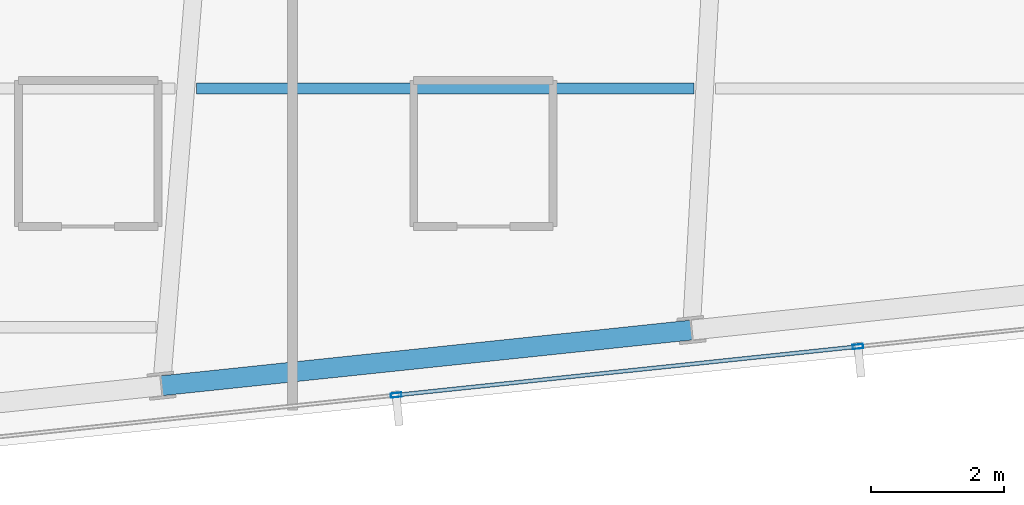
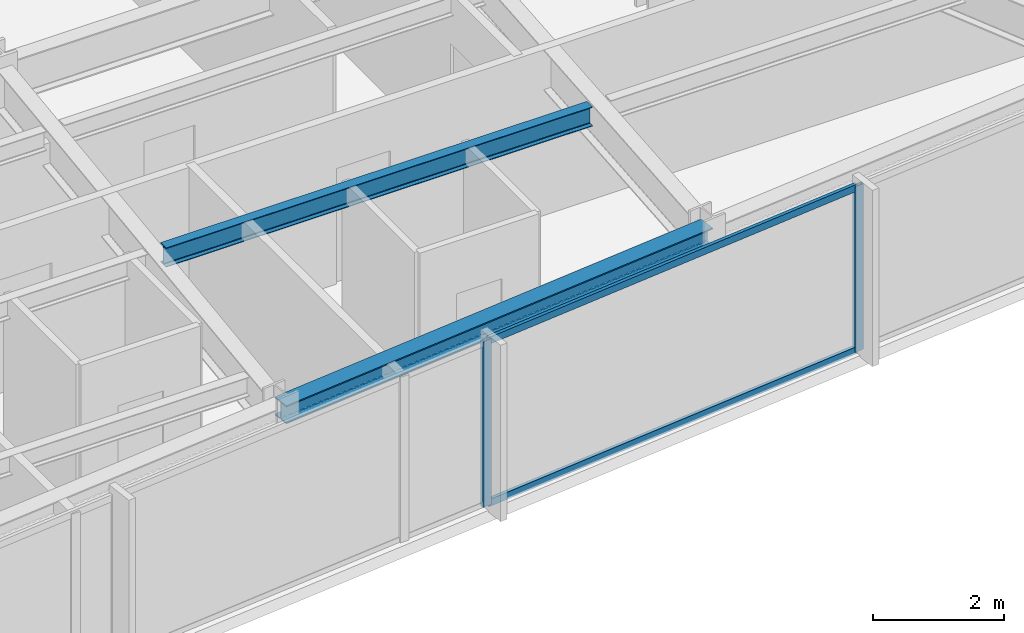
# One storey, part 14 of 33: 4 members, 2 beams, 1 element without a shape of its own.
"""IFC4 building model written with IfcOpenShell, lengths in metres."""

from ifc_helpers import new_model, si_unit, direction, frame, origin, origin_2d, place, context, subcontext, project, spatial, hollow_rectangle, i_section, extrude, material, material_profile, profile_set, type_object, element, aggregate, save


model = new_model("IFC4")

# Units and contexts
model_context = context("Model", 3, precision=1e-05, world=origin(), true_north=direction((0.0, 1.0)))
body_context = subcontext(model_context, "Body", "Model", "MODEL_VIEW")
ifc_project = project(units=[si_unit("LENGTHUNIT", "METRE"), si_unit("AREAUNIT", "SQUARE_METRE"), si_unit("VOLUMEUNIT", "CUBIC_METRE"), si_unit("PLANEANGLEUNIT", "RADIAN"), si_unit("MASSUNIT", "GRAM", prefix="KILO")], contexts=[model_context])

# Site, building, storey
site_placement = place(None, origin())
site = spatial("IfcSite", under=ifc_project, at=site_placement, CompositionType="ELEMENT")
building_placement = place(site_placement, origin())
building = spatial("IfcBuilding", under=site, at=building_placement, Name="Yelkora Congress Tower", CompositionType="ELEMENT")
storey_placement = place(building_placement, frame((0.0, 0.0, 234.199951171875)))
storey = spatial("IfcBuildingStorey", under=building, at=storey_placement, Name="L65", CompositionType="ELEMENT", Elevation=234.199951171875)

# Beams
ifc_material_1 = material(Name="Steel S355J2", Category="steel")
ifc_material_profile_1 = material_profile(ifc_material_1, i_section(OverallWidth=0.169921875, OverallDepth=0.360107421875, WebThickness=0.008056640625, FlangeThickness=0.0126953125, FilletRadius=0.01806640625, at=origin_2d()), Name="IPE 360")
ifc_profile_set_1 = profile_set([ifc_material_profile_1], Name="Steel S355J2")
beam_type_1 = type_object("IfcBeamType", Name="BM-JOIST-IPE360", PredefinedType="JOIST", material=ifc_profile_set_1)
beam_1_placement = place(storey_placement, frame((45.791259765625, 19.678466796875, 2.900146484375), z_axis=(1.0, 0.0, 0.0), x_axis=(0.0, 1.0, 0.0)))
element("IfcBeam", 1, at=beam_1_placement, inside=storey, type_object=beam_type_1, Name="L65 Composite Floor Joist 6", PredefinedType="JOIST", context=body_context, shape_type="SweptSolid", body=[
    extrude(i_section(OverallWidth=0.169921875, OverallDepth=0.360107421875, WebThickness=0.008056640625, FlangeThickness=0.0126953125, FilletRadius=0.01806640625, at=origin_2d()), origin(), (0.0, 0.0, 1.0), 7.505126953125),
])
ifc_material_profile_2 = material_profile(ifc_material_1, i_section(OverallWidth=0.300048828125, OverallDepth=0.340087890625, WebThickness=0.011962890625, FlangeThickness=0.021484375, FilletRadius=0.027099609375, at=origin_2d()), Name="HEB 340")
ifc_profile_set_2 = profile_set([ifc_material_profile_2], Name="Steel S355J2")
beam_type_2 = type_object("IfcBeamType", Name="BM-SPAN-HEB340", PredefinedType="SPANDREL", material=ifc_profile_set_2)
beam_2_placement = place(storey_placement, frame((45.26708984375, 15.197509765625, 2.91015625), z_axis=(0.994520097542, 0.104545567032, 0.0), x_axis=(-0.104545567032, 0.994520097542, 0.0)))
element("IfcBeam", 2, at=beam_2_placement, inside=storey, type_object=beam_type_2, Name="L65 Perimeter Beam 6", PredefinedType="SPANDREL", context=body_context, shape_type="SweptSolid", body=[
    extrude(i_section(OverallWidth=0.300048828125, OverallDepth=0.340087890625, WebThickness=0.011962890625, FlangeThickness=0.021484375, FilletRadius=0.027099609375, at=origin_2d()), origin(), (0.0, 0.0, 1.0), 8.033203125),
])

# Curtain wall, members
ifc_material_2 = material(Name="Anodised aluminium and insulated glass", Category="aluminium")
curtain_wall_type = type_object("IfcCurtainWallType", Name="CW-SYS-B4", PredefinedType="NOTDEFINED", material=ifc_material_2)
curtain_wall_placement = place(storey_placement, origin())
curtain_wall = element("IfcCurtainWall", 3, at=curtain_wall_placement, inside=storey, type_object=curtain_wall_type, Name="L65 Unitised Curtain Wall 20", PredefinedType="NOTDEFINED")
ifc_material_3 = material(Name="Anodised aluminium 6063-T6", Category="aluminium")
ifc_material_profile_3 = material_profile(ifc_material_3, hollow_rectangle(XDim=0.06494140625, YDim=0.159912109375, WallThickness=0.00390625, at=origin_2d()), Name="ALU 65x160x4")
ifc_profile_set_3 = profile_set([ifc_material_profile_3], Name="Anodised aluminium 6063-T6")
member_type_1 = type_object("IfcMemberType", Name="MEM-ML-B4", PredefinedType="MULLION", material=ifc_profile_set_3)
member_1_placement = place(storey_placement, frame((55.76708984375, 15.788330078125, 0.0), z_axis=(0.0, 0.0, 1.0), x_axis=(0.104526664994, -0.994522084373, 0.0)))
member_1 = element("IfcMember", 4, at=member_1_placement, type_object=member_type_1, Name="CW-B4 mullion 3", PredefinedType="MULLION", context=body_context, shape_type="SweptSolid", body=[
    extrude(hollow_rectangle(XDim=0.06494140625, YDim=0.159912109375, WallThickness=0.00390625, at=origin_2d()), origin(), (0.0, 0.0, 1.0), 3.080078125),
])
member_2_placement = place(storey_placement, frame((48.802490234375, 15.056396484375, 0.0), z_axis=(0.0, 0.0, 1.0), x_axis=(0.104526664994, -0.994522084373, 0.0)))
member_2 = element("IfcMember", 5, at=member_2_placement, type_object=member_type_1, Name="CW-B4 mullion 4", PredefinedType="MULLION", context=body_context, shape_type="SweptSolid", body=[
    extrude(hollow_rectangle(XDim=0.06494140625, YDim=0.159912109375, WallThickness=0.00390625, at=origin_2d()), origin(), (0.0, 0.0, 1.0), 3.080078125),
])
ifc_material_profile_4 = material_profile(ifc_material_3, hollow_rectangle(XDim=0.06005859375, YDim=0.1298828125, WallThickness=0.00390625, at=origin_2d()), Name="ALU 60x130x4")
ifc_profile_set_4 = profile_set([ifc_material_profile_4], Name="Anodised aluminium 6063-T6")
member_type_2 = type_object("IfcMemberType", Name="MEM-TR-B4", PredefinedType="USERDEFINED", material=ifc_profile_set_4)
member_3_placement = place(storey_placement, frame((55.73486328125, 15.784912109375, 0.030029296875), z_axis=(-0.99452356298, -0.104512595784, 0.0), x_axis=(0.104512595784, -0.99452356298, 0.0)))
member_3 = element("IfcMember", 6, at=member_3_placement, type_object=member_type_2, Name="CW-B4 transom 3.1", ObjectType="TRANSOM", PredefinedType="USERDEFINED", context=body_context, shape_type="SweptSolid", body=[
    extrude(hollow_rectangle(XDim=0.06005859375, YDim=0.1298828125, WallThickness=0.00390625, at=origin_2d()), origin(), (0.0, 0.0, 1.0), 6.93798828125),
])
member_4_placement = place(storey_placement, frame((55.73486328125, 15.784912109375, 3.050048828125), z_axis=(-0.99452356298, -0.104512595784, 0.0), x_axis=(0.104512595784, -0.99452356298, 0.0)))
member_4 = element("IfcMember", 7, at=member_4_placement, type_object=member_type_2, Name="CW-B4 transom 3.2", ObjectType="TRANSOM", PredefinedType="USERDEFINED", context=body_context, shape_type="SweptSolid", body=[
    extrude(hollow_rectangle(XDim=0.06005859375, YDim=0.1298828125, WallThickness=0.00390625, at=origin_2d()), origin(), (0.0, 0.0, 1.0), 6.93798828125),
])
aggregate(curtain_wall, [member_1, member_2, member_3, member_4])

save(model, "model.ifc")
